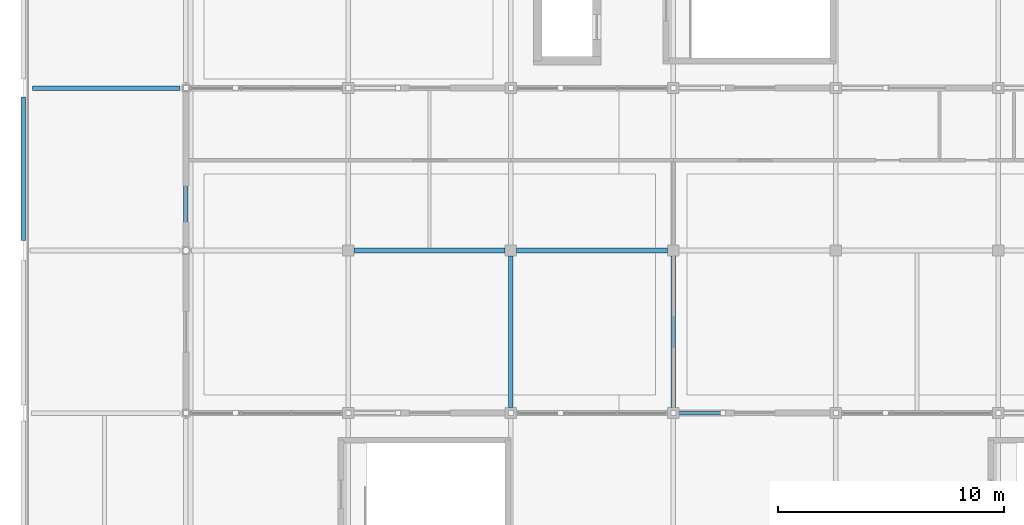
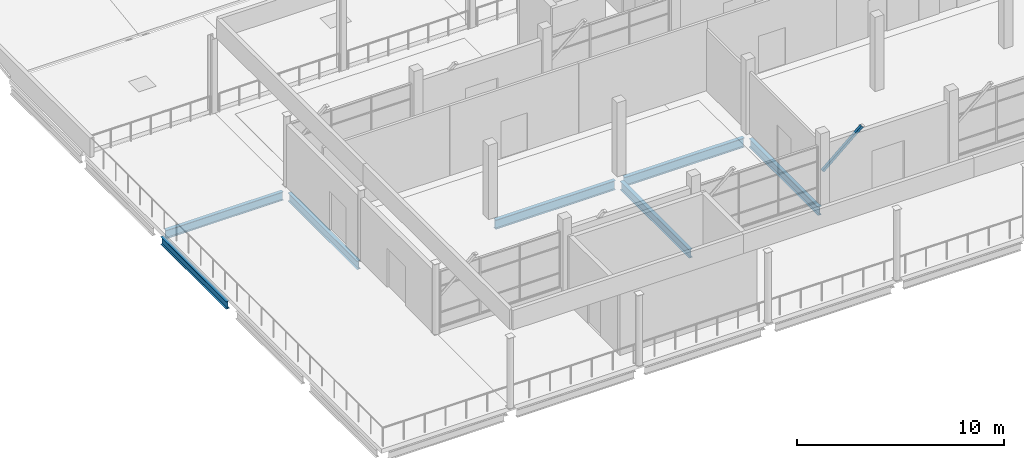
# One storey, part 6 of 32: 7 beams, 1 member.
"""IFC4 building model written with IfcOpenShell, lengths in metres."""

from ifc_helpers import new_model, si_unit, direction, frame, origin, origin_2d, place, context, subcontext, project, spatial, hollow_rectangle, i_section, extrude, material, material_profile, profile_set, type_object, element, save


model = new_model("IFC4")

# Units and contexts
model_context = context("Model", 3, precision=1e-05, world=origin(), true_north=direction((0.0, 1.0)))
body_context = subcontext(model_context, "Body", "Model", "MODEL_VIEW")
ifc_project = project(units=[si_unit("LENGTHUNIT", "METRE"), si_unit("AREAUNIT", "SQUARE_METRE"), si_unit("VOLUMEUNIT", "CUBIC_METRE"), si_unit("PLANEANGLEUNIT", "RADIAN"), si_unit("MASSUNIT", "GRAM", prefix="KILO")], contexts=[model_context])

# Site, building, storey
site_placement = place(None, origin())
site = spatial("IfcSite", under=ifc_project, at=site_placement, CompositionType="ELEMENT")
building_placement = place(site_placement, origin())
building = spatial("IfcBuilding", under=site, at=building_placement, Name="Sardonyx Promenade Sports Hall", CompositionType="ELEMENT")
storey_placement = place(building_placement, frame((0.0, 0.0, 20.39990234375)))
storey = spatial("IfcBuildingStorey", under=building, at=storey_placement, Name="L04", CompositionType="ELEMENT", Elevation=20.39990234375)

# Beams
ifc_material_1 = material(Name="Steel S355JR", Category="steel")
ifc_material_profile_1 = material_profile(ifc_material_1, i_section(OverallWidth=0.199951171875, OverallDepth=0.5, WebThickness=0.01025390625, FlangeThickness=0.01611328125, at=origin_2d()))
ifc_profile_set_1 = profile_set([ifc_material_profile_1], Name="Steel S355JR")
beam_type_1 = type_object("IfcBeamType", Name="Bm_Primary_IPE500", PredefinedType="BEAM", material=ifc_profile_set_1)
beam_1_placement = place(storey_placement, frame((0.39990234375, 21.60009765625, -0.510009765625), z_axis=(1.0, 0.0, 0.0), x_axis=(0.0, 1.0, 0.0)))
element("IfcBeam", 1, at=beam_1_placement, inside=storey, type_object=beam_type_1, Name="Beam SB06 L04 #981", PredefinedType="BEAM", context=body_context, shape_type="SweptSolid", body=[
    extrude(i_section(OverallWidth=0.199951171875, OverallDepth=0.5, WebThickness=0.01025390625, FlangeThickness=0.01611328125, at=origin_2d()), origin(), (0.0, 0.0, 1.0), 6.550048828125),
])
beam_2_placement = place(storey_placement, frame((7.199951171875, 14.64990234375, -0.52001953125), z_axis=(0.0, 1.0, 0.0), x_axis=(-1.0, 0.0, 0.0)))
element("IfcBeam", 2, at=beam_2_placement, inside=storey, type_object=beam_type_1, Name="Beam SB06 L04 #1018", PredefinedType="BEAM", context=body_context, shape_type="SweptSolid", body=[
    extrude(i_section(OverallWidth=0.199951171875, OverallDepth=0.5, WebThickness=0.01025390625, FlangeThickness=0.01611328125, at=origin_2d()), origin(), (0.0, 0.0, 1.0), 6.7001953125),
])
for number, where, z_axis, x_axis, name in (
    (3, (21.60009765625, 7.449951171875, -0.52001953125), (0.0, 1.0, 0.0), (-1.0, 0.0, 0.0), "Beam SB06 L04 #1029"),
    (4, (28.800048828125, 7.449951171875, -0.52001953125), (0.0, 1.0, 0.0), (-1.0, 0.0, 0.0), "Beam SB06 L04 #1039"),
):
    element("IfcBeam", number, at=place(storey_placement, frame(where, z_axis=z_axis, x_axis=x_axis)), inside=storey, type_object=beam_type_1, Name=name, PredefinedType="BEAM", context=body_context, shape_type="SweptSolid", body=[
        extrude(i_section(OverallWidth=0.199951171875, OverallDepth=0.5, WebThickness=0.01025390625, FlangeThickness=0.01611328125, at=origin_2d()), origin(), (0.0, 0.0, 1.0), 6.699951171875),
    ])
ifc_material_2 = material(Name="Steel S355JR", Category="steel")
ifc_material_profile_2 = material_profile(ifc_material_2, i_section(OverallWidth=0.2099609375, OverallDepth=0.550048828125, WebThickness=0.010986328125, FlangeThickness=0.01708984375, at=origin_2d()))
ifc_profile_set_2 = profile_set([ifc_material_profile_2], Name="Steel S355JR")
beam_type_2 = type_object("IfcBeamType", Name="Bm_Primary_IPE550", PredefinedType="BEAM", material=ifc_profile_set_2)
beam_3_placement = place(storey_placement, frame((14.64990234375, 14.39990234375, -0.544921875), z_axis=(1.0, 0.0, 0.0), x_axis=(0.0, 1.0, 0.0)))
element("IfcBeam", 5, at=beam_3_placement, inside=storey, type_object=beam_type_2, Name="Beam SB03 L04 #968", PredefinedType="BEAM", context=body_context, shape_type="SweptSolid", body=[
    extrude(i_section(OverallWidth=0.2099609375, OverallDepth=0.550048828125, WebThickness=0.010986328125, FlangeThickness=0.01708984375, at=origin_2d()), origin(), (0.0, 0.0, 1.0), 6.7001953125),
])
beam_4_placement = place(storey_placement, frame((21.85009765625, 14.39990234375, -0.544921875), z_axis=(1.0, 0.0, 0.0), x_axis=(0.0, 1.0, 0.0)))
element("IfcBeam", 6, at=beam_4_placement, inside=storey, type_object=beam_type_2, Name="Beam SB03 L04 #969", PredefinedType="BEAM", context=body_context, shape_type="SweptSolid", body=[
    extrude(i_section(OverallWidth=0.2099609375, OverallDepth=0.550048828125, WebThickness=0.010986328125, FlangeThickness=0.01708984375, at=origin_2d()), origin(), (0.0, 0.0, 1.0), 6.699951171875),
])
ifc_material_3 = material(Name="Steel S355JR", Category="steel")
ifc_material_profile_3 = material_profile(ifc_material_3, i_section(OverallWidth=0.18994140625, OverallDepth=0.449951171875, WebThickness=0.009521484375, FlangeThickness=0.0146484375, at=origin_2d()))
ifc_profile_set_3 = profile_set([ifc_material_profile_3], Name="Steel S355JR")
beam_type_3 = type_object("IfcBeamType", Name="Bm_Spandrel_Steel", PredefinedType="SPANDREL", material=ifc_profile_set_3)
beam_5_placement = place(storey_placement, frame((0.0, 14.85009765625, -0.48486328125), z_axis=(0.0, 1.0, 0.0), x_axis=(-1.0, 0.0, 0.0)))
element("IfcBeam", 7, at=beam_5_placement, inside=storey, type_object=beam_type_3, Name="Beam SPB3 L04 #1013", PredefinedType="SPANDREL", context=body_context, shape_type="SweptSolid", body=[
    extrude(i_section(OverallWidth=0.18994140625, OverallDepth=0.449951171875, WebThickness=0.009521484375, FlangeThickness=0.0146484375, at=origin_2d()), origin(), (0.0, 0.0, 1.0), 6.349853515625),
])

# Member
ifc_material_4 = material(Name="Steel S355JR", Category="steel")
ifc_material_profile_4 = material_profile(ifc_material_4, hollow_rectangle(XDim=0.14990234375, YDim=0.14990234375, WallThickness=0.008056640625, at=origin_2d()))
ifc_profile_set_4 = profile_set([ifc_material_profile_4], Name="Steel S355JR")
member_type = type_object("IfcMemberType", Name="Mbr_Strut_SHS150", PredefinedType="STRUT", material=ifc_profile_set_4)
member_placement = place(storey_placement, frame((28.800048828125, 7.199951171875, 2.0), z_axis=(0.756790903627, 0.0, 0.653657041718), x_axis=(0.0, 1.0, 0.0)))
element("IfcMember", 8, at=member_placement, inside=storey, type_object=member_type, Name="Pavilion roof knee-brace strut #18", PredefinedType="STRUT", context=body_context, shape_type="SweptSolid", body=[
    extrude(hollow_rectangle(XDim=0.14990234375, YDim=0.14990234375, WallThickness=0.008056640625, at=origin_2d()), origin(), (0.0, 0.0, 1.0), 2.906982421875),
])

save(model, "model.ifc")
